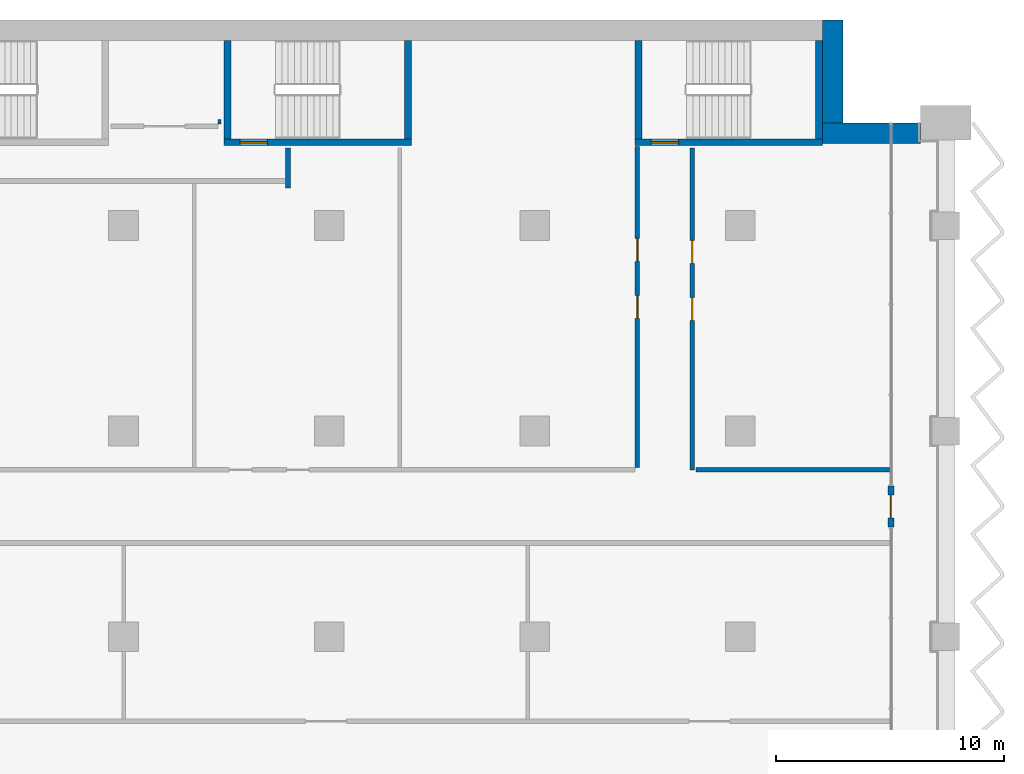
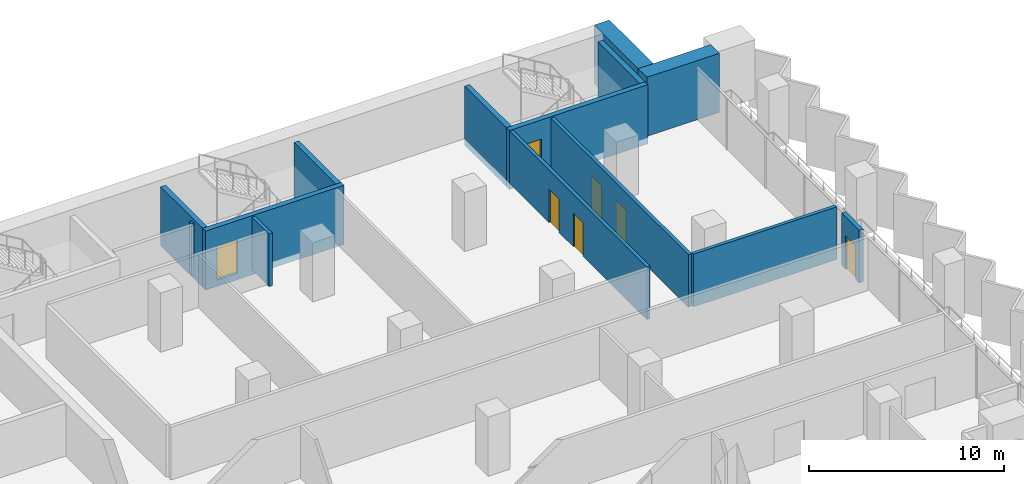
# One storey, part 15 of 23: 14 walls, 7 doors, 7 openings.
"""IFC4 building model written with IfcOpenShell, lengths in metres."""

from ifc_helpers import new_model, si_unit, direction, frame, frame_2d, origin, place, context, subcontext, project, spatial, rectangle, extrude, material, layer, layer_set, type_object, element, fill, save


model = new_model("IFC4")

# Units and contexts
model_context = context("Model", 3, precision=1e-05, world=origin(), true_north=direction((0.0, 1.0)))
body_context = subcontext(model_context, "Body", "Model", "MODEL_VIEW")
ifc_project = project(units=[si_unit("LENGTHUNIT", "METRE"), si_unit("AREAUNIT", "SQUARE_METRE"), si_unit("VOLUMEUNIT", "CUBIC_METRE"), si_unit("PLANEANGLEUNIT", "RADIAN"), si_unit("MASSUNIT", "GRAM", prefix="KILO")], contexts=[model_context])

# Site, building, storey
site_placement = place(None, origin())
site = spatial("IfcSite", under=ifc_project, at=site_placement, CompositionType="ELEMENT")
building_placement = place(site_placement, origin())
building = spatial("IfcBuilding", under=site, at=building_placement, Name="Hunhe Ridgeline Campus", CompositionType="ELEMENT")
storey_placement = place(building_placement, frame((0.0, 0.0, 110.699951171875)))
storey = spatial("IfcBuildingStorey", under=building, at=storey_placement, Name="L27", CompositionType="ELEMENT", Elevation=110.699951171875)

# Walls
ifc_material_1 = material(Name="Gypsum board partition")
ifc_layer_1 = layer(ifc_material_1, 0.199951171875)
ifc_layer_set_1 = layer_set([ifc_layer_1], Name="Corridor partition 200 gypsum board on steel studs")
wall_type_1 = type_object("IfcWallType", Name="Corridor partition 200 gypsum board on steel studs", PredefinedType="PARTITIONING", material=ifc_layer_set_1)
wall_1_placement = place(storey_placement, frame((70.056884765625, 79.300048828125, 0.0), z_axis=(0.0, 0.0, 1.0), x_axis=(1.0, 0.0, 0.0)))
element("IfcWall", 1, at=wall_1_placement, inside=storey, type_object=wall_type_1, Name="F-L27-wall-036", PredefinedType="PARTITIONING", context=body_context, shape_type="SweptSolid", body=[
    extrude(rectangle(XDim=8.488037109375, YDim=0.199951171875, at=frame_2d((4.244140625, 0.0))), origin(), (0.0, 0.0, 1.0), 3.300048828125),
])
wall_2_placement = place(storey_placement, frame((52.199951171875, 93.39599609375, 0.0), z_axis=(0.0, 0.0, 1.0), x_axis=(0.0, -1.0, 0.0)))
element("IfcWall", 2, at=wall_2_placement, inside=storey, type_object=wall_type_1, Name="F-L27-wall-056", PredefinedType="PARTITIONING", context=body_context, shape_type="SweptSolid", body=[
    extrude(rectangle(XDim=1.74609375, YDim=0.199951171875, at=frame_2d((0.873046875, 0.0))), origin(), (0.0, 0.0, 1.0), 3.300048828125),
])

# Wall, openings, doors
wall_3_placement = place(storey_placement, frame((67.5, 79.39990234375, 0.0), z_axis=(0.0, 0.0, 1.0), x_axis=(0.0, 1.0, 0.0)))
wall_3 = element("IfcWall", 3, at=wall_3_placement, inside=storey, type_object=wall_type_1, Name="F-L27-wall-064", PredefinedType="PARTITIONING", context=body_context, shape_type="SweptSolid", body=[
    extrude(rectangle(XDim=14.070068359375, YDim=0.199951171875, at=frame_2d((7.03515625, 0.0))), origin(), (0.0, 0.0, 1.0), 3.300048828125),
])
opening_1_placement = place(wall_3_placement, frame((6.534912109375, 0.0, 0.0)))
opening_1 = element("IfcOpeningElement", 4, at=opening_1_placement, cuts=wall_3, Name="Opening RD1-030", PredefinedType="OPENING", context=body_context, shape_type="SweptSolid", body=[
    extrude(rectangle(XDim=1.0, YDim=2.10009765625, at=frame_2d((0.5, 1.050048828125))), frame((0.0, 0.10009765625, 0.0), z_axis=(0.0, -1.0, 0.0), x_axis=(1.0, 0.0, 0.0)), (0.0, 0.0, 1.0), 0.199951171875),
])
opening_2_placement = place(wall_3_placement, frame((9.034912109375, 0.0, 0.0)))
opening_2 = element("IfcOpeningElement", 5, at=opening_2_placement, cuts=wall_3, Name="Opening RD1-033", PredefinedType="OPENING", context=body_context, shape_type="SweptSolid", body=[
    extrude(rectangle(XDim=1.0, YDim=2.10009765625, at=frame_2d((0.5, 1.050048828125))), frame((0.0, 0.10009765625, 0.0), z_axis=(0.0, -1.0, 0.0), x_axis=(1.0, 0.0, 0.0)), (0.0, 0.0, 1.0), 0.199951171875),
])
ifc_material_2 = material(Name="Timber door leaf", Category="wood")
door_type_1 = type_object("IfcDoorType", Name="Single fire door 1000x2100 timber FD60", OperationType="NOTDEFINED", PredefinedType="DOOR", material=ifc_material_2)
door_1_placement = place(opening_1_placement, frame((1.0, 0.0, 0.0), z_axis=(0.0, 0.0, 1.0), x_axis=(-1.0, 0.0, 0.0)))
door_1 = element("IfcDoor", 6, at=door_1_placement, inside=storey, type_object=door_type_1, Name="F-L27-door-030", OperationType="SINGLE_SWING_LEFT", OverallHeight=2.10009765625, OverallWidth=1.0, PredefinedType="DOOR", context=body_context, shape_type="SweptSolid", body=[
    extrude(rectangle(XDim=1.0, YDim=2.10009765625, at=frame_2d((0.5, 1.050048828125))), frame((0.0, 0.02490234375, 0.0), z_axis=(0.0, -1.0, 0.0), x_axis=(1.0, 0.0, 0.0)), (0.0, 0.0, 1.0), 0.050048828125),
])
fill(opening_1, door_1)
door_2_placement = place(opening_2_placement, frame((1.0, 0.0, 0.0), z_axis=(0.0, 0.0, 1.0), x_axis=(-1.0, 0.0, 0.0)))
door_2 = element("IfcDoor", 7, at=door_2_placement, inside=storey, type_object=door_type_1, Name="F-L27-door-033", OperationType="SINGLE_SWING_LEFT", OverallHeight=2.10009765625, OverallWidth=1.0, PredefinedType="DOOR", context=body_context, shape_type="SweptSolid", body=[
    extrude(rectangle(XDim=1.0, YDim=2.10009765625, at=frame_2d((0.5, 1.050048828125))), frame((0.0, 0.02490234375, 0.0), z_axis=(0.0, -1.0, 0.0), x_axis=(1.0, 0.0, 0.0)), (0.0, 0.0, 1.0), 0.050048828125),
])
fill(opening_2, door_2)

wall_4_placement = place(storey_placement, frame((69.89990234375, 93.39599609375, 0.0), z_axis=(0.0, 0.0, 1.0), x_axis=(0.0, -1.0, 0.0)))
wall_4 = element("IfcWall", 8, at=wall_4_placement, inside=storey, type_object=wall_type_1, Name="F-L27-wall-065", PredefinedType="PARTITIONING", context=body_context, shape_type="SweptSolid", body=[
    extrude(rectangle(XDim=14.095947265625, YDim=0.199951171875, at=frame_2d((7.0478515625, 0.0))), origin(), (0.0, 0.0, 1.0), 3.300048828125),
])
opening_3_placement = place(wall_4_placement, frame((6.548095703125, 0.0, 0.0)))
opening_3 = element("IfcOpeningElement", 9, at=opening_3_placement, cuts=wall_4, Name="Opening RD1-029", PredefinedType="OPENING", context=body_context, shape_type="SweptSolid", body=[
    extrude(rectangle(XDim=1.0, YDim=2.10009765625, at=frame_2d((0.5, 1.050048828125))), frame((0.0, 0.10009765625, 0.0), z_axis=(0.0, -1.0, 0.0), x_axis=(1.0, 0.0, 0.0)), (0.0, 0.0, 1.0), 0.199951171875),
])
opening_4_placement = place(wall_4_placement, frame((4.048095703125, 0.0, 0.0)))
opening_4 = element("IfcOpeningElement", 10, at=opening_4_placement, cuts=wall_4, Name="Opening RD1-032", PredefinedType="OPENING", context=body_context, shape_type="SweptSolid", body=[
    extrude(rectangle(XDim=1.0, YDim=2.10009765625, at=frame_2d((0.5, 1.050048828125))), frame((0.0, 0.10009765625, 0.0), z_axis=(0.0, -1.0, 0.0), x_axis=(1.0, 0.0, 0.0)), (0.0, 0.0, 1.0), 0.199951171875),
])
door_3_placement = place(opening_3_placement, frame((1.0, 0.0, 0.0), z_axis=(0.0, 0.0, 1.0), x_axis=(-1.0, 0.0, 0.0)))
door_3 = element("IfcDoor", 11, at=door_3_placement, inside=storey, type_object=door_type_1, Name="F-L27-door-029", OperationType="SINGLE_SWING_RIGHT", OverallHeight=2.10009765625, OverallWidth=1.0, PredefinedType="DOOR", context=body_context, shape_type="SweptSolid", body=[
    extrude(rectangle(XDim=1.0, YDim=2.10009765625, at=frame_2d((0.5, 1.050048828125))), frame((0.0, 0.02490234375, 0.0), z_axis=(0.0, -1.0, 0.0), x_axis=(1.0, 0.0, 0.0)), (0.0, 0.0, 1.0), 0.050048828125),
])
fill(opening_3, door_3)
door_4_placement = place(opening_4_placement, frame((1.0, 0.0, 0.0), z_axis=(0.0, 0.0, 1.0), x_axis=(-1.0, 0.0, 0.0)))
door_4 = element("IfcDoor", 12, at=door_4_placement, inside=storey, type_object=door_type_1, Name="F-L27-door-032", OperationType="SINGLE_SWING_RIGHT", OverallHeight=2.10009765625, OverallWidth=1.0, PredefinedType="DOOR", context=body_context, shape_type="SweptSolid", body=[
    extrude(rectangle(XDim=1.0, YDim=2.10009765625, at=frame_2d((0.5, 1.050048828125))), frame((0.0, 0.02490234375, 0.0), z_axis=(0.0, -1.0, 0.0), x_axis=(1.0, 0.0, 0.0)), (0.0, 0.0, 1.0), 0.050048828125),
])
fill(opening_4, door_4)

# Wall, opening, door
ifc_material_3 = material(Name="Concrete C30", Category="concrete")
ifc_layer_2 = layer(ifc_material_3, 0.25)
ifc_layer_set_2 = layer_set([ifc_layer_2], Name="Loggia door pier wall 250 Concrete C30")
wall_type_2 = type_object("IfcWallType", Name="Loggia door pier wall 250 Concrete C30", PredefinedType="SOLIDWALL", material=ifc_layer_set_2)
wall_5_placement = place(storey_placement, frame((78.59912109375, 76.800537109375, 0.0), z_axis=(0.0, 0.0, 1.0), x_axis=(0.0, 1.0, 0.0)))
wall_5 = element("IfcWall", 13, at=wall_5_placement, inside=storey, type_object=wall_type_2, Name="Loggia door pier 5", PredefinedType="SOLIDWALL", context=body_context, shape_type="SweptSolid", body=[
    extrude(rectangle(XDim=1.800048828125, YDim=0.25, at=frame_2d((0.89990234375, 0.0))), origin(), (0.0, 0.0, 1.0), 3.300048828125),
])
opening_5_placement = place(wall_5_placement, frame((0.39990234375, 0.0, 0.0)))
opening_5 = element("IfcOpeningElement", 14, at=opening_5_placement, cuts=wall_5, Name="Opening BD207", PredefinedType="OPENING", context=body_context, shape_type="SweptSolid", body=[
    extrude(rectangle(XDim=1.0, YDim=2.10009765625, at=frame_2d((0.5, 1.050048828125))), frame((0.0, 0.125, 0.0), z_axis=(0.0, -1.0, 0.0), x_axis=(1.0, 0.0, 0.0)), (0.0, 0.0, 1.0), 0.25),
])
ifc_material_4 = material(Name="Aluminium 6063", Category="aluminium")
door_type_2 = type_object("IfcDoorType", Name="Loggia glazed door 1000x2100", OperationType="NOTDEFINED", PredefinedType="DOOR", material=ifc_material_4)
door_5_placement = place(opening_5_placement, frame((1.0, 0.0, 0.0), z_axis=(0.0, 0.0, 1.0), x_axis=(-1.0, 0.0, 0.0)))
door_5 = element("IfcDoor", 15, at=door_5_placement, inside=storey, type_object=door_type_2, Name="Loggia door BD207", OperationType="SINGLE_SWING_RIGHT", OverallHeight=2.10009765625, OverallWidth=1.0, PredefinedType="DOOR", context=body_context, shape_type="SweptSolid", body=[
    extrude(rectangle(XDim=1.0, YDim=2.10009765625, at=frame_2d((0.5, 1.050048828125))), frame((0.0, 0.02490234375, 0.0), z_axis=(0.0, -1.0, 0.0), x_axis=(1.0, 0.0, 0.0)), (0.0, 0.0, 1.0), 0.050048828125),
])
fill(opening_5, door_5)

# Walls
ifc_layer_3 = layer(ifc_material_1, 0.14990234375)
ifc_layer_set_3 = layer_set([ifc_layer_3], Name="Room partition 150 gypsum board on steel studs")
wall_type_3 = type_object("IfcWallType", Name="Room partition 150 gypsum board on steel studs", PredefinedType="PARTITIONING", material=ifc_layer_set_3)
wall_6_placement = place(storey_placement, frame((49.199951171875, 94.64990234375, 0.0), z_axis=(0.0, 0.0, 1.0), x_axis=(0.0, -1.0, 0.0)))
element("IfcWall", 16, at=wall_6_placement, inside=storey, type_object=wall_type_3, Name="F-L27-wall-055", PredefinedType="PARTITIONING", context=body_context, shape_type="SweptSolid", body=[
    extrude(rectangle(XDim=0.199951171875, YDim=0.14990234375, at=frame_2d((0.10009765625, 0.0))), origin(), (0.0, 0.0, 1.0), 3.300048828125),
])
ifc_material_5 = material(Name="Concrete C70", Category="concrete")
ifc_layer_4 = layer(ifc_material_5, 0.89990234375)
ifc_layer_set_4 = layer_set([ifc_layer_4], Name="Spine wall 900 Concrete C70")
wall_type_4 = type_object("IfcWallType", Name="Spine wall 900 Concrete C70", PredefinedType="SHEAR", material=ifc_layer_set_4)
wall_7_placement = place(storey_placement, frame((79.89990234375, 94.050048828125, 0.0), z_axis=(0.0, 0.0, 1.0), x_axis=(-1.0, 0.0, 0.0)))
element("IfcWall", 17, at=wall_7_placement, inside=storey, type_object=wall_type_4, Name="Spine wall SW2-2 L27", PredefinedType="SHEAR", context=body_context, shape_type="SweptSolid", body=[
    extrude(rectangle(XDim=4.30029296875, YDim=0.89990234375, at=frame_2d((2.150146484375, 0.0))), origin(), (0.0, 0.0, 1.0), 3.699951171875),
])
wall_8_placement = place(storey_placement, frame((76.050048828125, 93.60009765625, 0.0), z_axis=(0.0, 0.0, 1.0), x_axis=(0.0, 1.0, 0.0)))
element("IfcWall", 18, at=wall_8_placement, inside=storey, type_object=wall_type_4, Name="Spine wall SW2-3 L27", PredefinedType="SHEAR", context=body_context, shape_type="SweptSolid", body=[
    extrude(rectangle(XDim=5.39990234375, YDim=0.89990234375, at=frame_2d((2.699951171875, 0.0))), origin(), (0.0, 0.0, 1.0), 3.699951171875),
])

# Wall, opening, door
ifc_material_6 = material(Name="Concrete C80", Category="concrete")
ifc_layer_5 = layer(ifc_material_6, 0.300048828125)
ifc_layer_set_5 = layer_set([ifc_layer_5], Name="Stair wall 300 reinforced concrete C80")
wall_type_5 = type_object("IfcWallType", Name="Stair wall 300 reinforced concrete C80", PredefinedType="SOLIDWALL", material=ifc_layer_set_5)
wall_9_placement = place(storey_placement, frame((49.39990234375, 93.64990234375, -0.39990234375), z_axis=(0.0, 0.0, 1.0), x_axis=(1.0, 0.0, 0.0)))
wall_9 = element("IfcWall", 19, at=wall_9_placement, inside=storey, type_object=wall_type_5, Name="L27 core wall 30", PredefinedType="SOLIDWALL", context=body_context, shape_type="SweptSolid", body=[
    extrude(rectangle(XDim=8.2001953125, YDim=0.300048828125, at=frame_2d((4.10009765625, 0.0))), origin(), (0.0, 0.0, 1.0), 3.699951171875),
])
opening_6_placement = place(wall_9_placement, frame((0.699951171875, 0.0, 0.39990234375)))
opening_6 = element("IfcOpeningElement", 20, at=opening_6_placement, cuts=wall_9, Name="Opening CD18", PredefinedType="OPENING", context=body_context, shape_type="SweptSolid", body=[
    extrude(rectangle(XDim=1.199951171875, YDim=2.10009765625, at=frame_2d((0.60009765625, 1.050048828125))), frame((0.0, 0.14990234375, 0.0), z_axis=(0.0, -1.0, 0.0), x_axis=(1.0, 0.0, 0.0)), (0.0, 0.0, 1.0), 0.300048828125),
])
ifc_material_7 = material(Name="Hollow metal fire door leaf")
door_type_3 = type_object("IfcDoorType", Name="Stair door 1200x2100 FD60", OperationType="SINGLE_SWING_LEFT", PredefinedType="DOOR", material=ifc_material_7)
door_6_placement = place(opening_6_placement, frame((1.199951171875, 0.0, 0.0), z_axis=(0.0, 0.0, 1.0), x_axis=(-1.0, 0.0, 0.0)))
door_6 = element("IfcDoor", 21, at=door_6_placement, inside=storey, type_object=door_type_3, Name="L27 door E2", OperationType="SINGLE_SWING_LEFT", OverallHeight=2.10009765625, OverallWidth=1.199951171875, PredefinedType="DOOR", context=body_context, shape_type="SweptSolid", body=[
    extrude(rectangle(XDim=1.199951171875, YDim=2.10009765625, at=frame_2d((0.60009765625, 1.050048828125))), frame((0.0, 0.02490234375, 0.0), z_axis=(0.0, -1.0, 0.0), x_axis=(1.0, 0.0, 0.0)), (0.0, 0.0, 1.0), 0.050048828125),
])
fill(opening_6, door_6)

wall_10_placement = place(storey_placement, frame((67.39990234375, 93.64990234375, -0.39990234375), z_axis=(0.0, 0.0, 1.0), x_axis=(1.0, 0.0, 0.0)))
wall_10 = element("IfcWall", 22, at=wall_10_placement, inside=storey, type_object=wall_type_5, Name="L27 core wall 31", PredefinedType="SOLIDWALL", context=body_context, shape_type="SweptSolid", body=[
    extrude(rectangle(XDim=8.2001953125, YDim=0.300048828125, at=frame_2d((4.10009765625, 0.0))), origin(), (0.0, 0.0, 1.0), 3.699951171875),
])
opening_7_placement = place(wall_10_placement, frame((0.699951171875, 0.0, 0.39990234375)))
opening_7 = element("IfcOpeningElement", 23, at=opening_7_placement, cuts=wall_10, Name="Opening CD19", PredefinedType="OPENING", context=body_context, shape_type="SweptSolid", body=[
    extrude(rectangle(XDim=1.199951171875, YDim=2.10009765625, at=frame_2d((0.60009765625, 1.050048828125))), frame((0.0, 0.14990234375, 0.0), z_axis=(0.0, -1.0, 0.0), x_axis=(1.0, 0.0, 0.0)), (0.0, 0.0, 1.0), 0.300048828125),
])
door_7_placement = place(opening_7_placement, frame((1.199951171875, 0.0, 0.0), z_axis=(0.0, 0.0, 1.0), x_axis=(-1.0, 0.0, 0.0)))
door_7 = element("IfcDoor", 24, at=door_7_placement, inside=storey, type_object=door_type_3, Name="L27 door E3", OperationType="SINGLE_SWING_RIGHT", OverallHeight=2.10009765625, OverallWidth=1.199951171875, PredefinedType="DOOR", context=body_context, shape_type="SweptSolid", body=[
    extrude(rectangle(XDim=1.199951171875, YDim=2.10009765625, at=frame_2d((0.60009765625, 1.050048828125))), frame((0.0, 0.02490234375, 0.0), z_axis=(0.0, -1.0, 0.0), x_axis=(1.0, 0.0, 0.0)), (0.0, 0.0, 1.0), 0.050048828125),
])
fill(opening_7, door_7)

# Walls
for number, where, z_axis, x_axis, name in (
    (25, (49.550048828125, 93.800048828125, -0.39990234375), (0.0, 0.0, 1.0), (0.0, 1.0, 0.0), "L27 core wall 63"),
    (26, (57.449951171875, 93.800048828125, -0.39990234375), (0.0, 0.0, 1.0), (0.0, 1.0, 0.0), "L27 core wall 64"),
    (27, (67.550048828125, 93.800048828125, -0.39990234375), (0.0, 0.0, 1.0), (0.0, 1.0, 0.0), "L27 core wall 65"),
    (28, (75.449951171875, 93.800048828125, -0.39990234375), (0.0, 0.0, 1.0), (0.0, 1.0, 0.0), "L27 core wall 66"),
):
    element("IfcWall", number, at=place(storey_placement, frame(where, z_axis=z_axis, x_axis=x_axis)), inside=storey, type_object=wall_type_5, Name=name, PredefinedType="SOLIDWALL", context=body_context, shape_type="SweptSolid", body=[
        extrude(rectangle(XDim=4.300048828125, YDim=0.300048828125, at=frame_2d((2.14990234375, 0.0))), origin(), (0.0, 0.0, 1.0), 3.699951171875),
    ])

save(model, "model.ifc")
